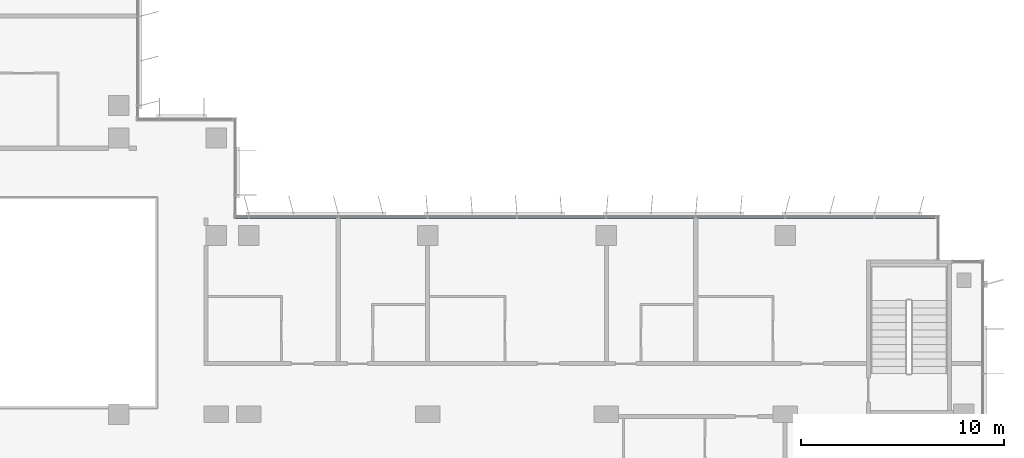
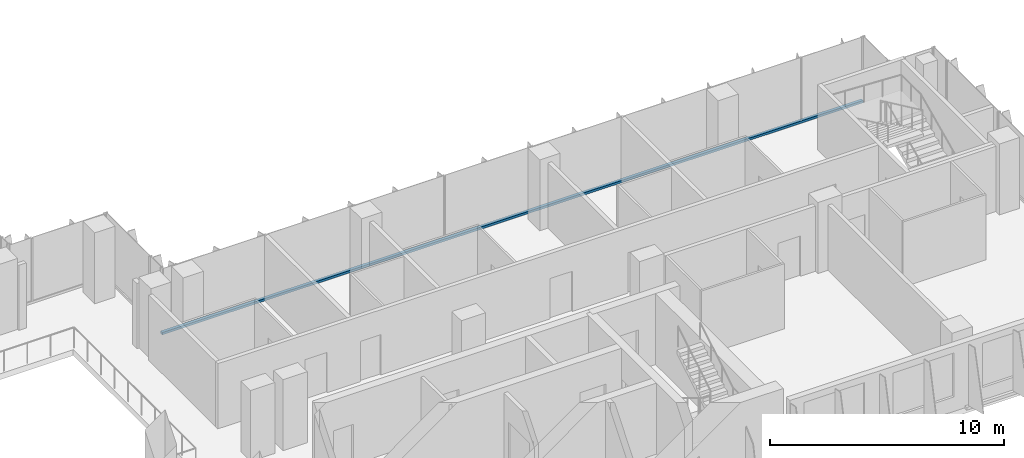
# One storey, part 3 of 21: 1 member, 1 element without a shape of its own.
"""IFC4 building model written with IfcOpenShell, lengths in metres."""

from ifc_helpers import new_model, si_unit, direction, frame, origin, origin_2d, place, context, subcontext, project, spatial, rectangle, extrude, material, material_profile, profile_set, type_object, element, aggregate, save


model = new_model("IFC4")

# Units and contexts
model_context = context("Model", 3, precision=1e-05, world=origin(), true_north=direction((0.0, 1.0)))
body_context = subcontext(model_context, "Body", "Model", "MODEL_VIEW")
ifc_project = project(units=[si_unit("LENGTHUNIT", "METRE"), si_unit("AREAUNIT", "SQUARE_METRE"), si_unit("VOLUMEUNIT", "CUBIC_METRE"), si_unit("PLANEANGLEUNIT", "RADIAN"), si_unit("MASSUNIT", "GRAM", prefix="KILO")], contexts=[model_context])

# Site, building, storey
site_placement = place(None, origin())
site = spatial("IfcSite", under=ifc_project, at=site_placement, CompositionType="ELEMENT")
building_placement = place(site_placement, origin())
building = spatial("IfcBuilding", under=site, at=building_placement, Name="Kemantara Hotel Tower", CompositionType="ELEMENT")
storey_placement = place(building_placement, frame((0.0, 0.0, 164.199951171875)))
storey = spatial("IfcBuildingStorey", under=building, at=storey_placement, Name="L40", CompositionType="ELEMENT", Elevation=164.199951171875)

# Curtain wall, member
ifc_material_1 = material(Name="Low-E tinted double insulated glass 36 mm", Category="glass")
curtain_wall_type = type_object("IfcCurtainWallType", Name="TOWER CURTAIN WALL, FRONT FACES", PredefinedType="USERDEFINED", material=ifc_material_1)
curtain_wall_placement = place(storey_placement, origin())
curtain_wall = element("IfcCurtainWall", 1, at=curtain_wall_placement, inside=storey, type_object=curtain_wall_type, Name="CW4 L40 T3-R14-1", ObjectType="TOWER CURTAIN WALL, FRONT FACES", PredefinedType="USERDEFINED")
ifc_material_2 = material(Name="Aluminium 6063-T6 bronze anodised", Category="aluminium")
ifc_material_profile = material_profile(ifc_material_2, rectangle(XDim=0.14990234375, YDim=0.1201171875, at=origin_2d()), Name="TOWER CURTAIN WALL, FRONT FACES TRANSOM")
ifc_profile_set = profile_set([ifc_material_profile], Name="Aluminium 6063-T6 bronze anodised")
member_type = type_object("IfcMemberType", Name="TOWER CURTAIN WALL, FRONT FACES TRANSOM", PredefinedType="USERDEFINED", material=ifc_profile_set)
member_placement = place(storey_placement, frame((61.25, 21.925048828125, 0.06005859375), z_axis=(-1.0, 0.0, 0.0), x_axis=(0.0, -1.0, 0.0)))
member = element("IfcMember", 2, at=member_placement, type_object=member_type, Name="CW4 sill transom T3-R14-1", ObjectType="TRANSOM", PredefinedType="USERDEFINED", context=body_context, shape_type="SweptSolid", body=[
    extrude(rectangle(XDim=0.14990234375, YDim=0.1201171875, at=origin_2d()), origin(), (0.0, 0.0, 1.0), 34.60009765625),
])
aggregate(curtain_wall, [member])

save(model, "model.ifc")
